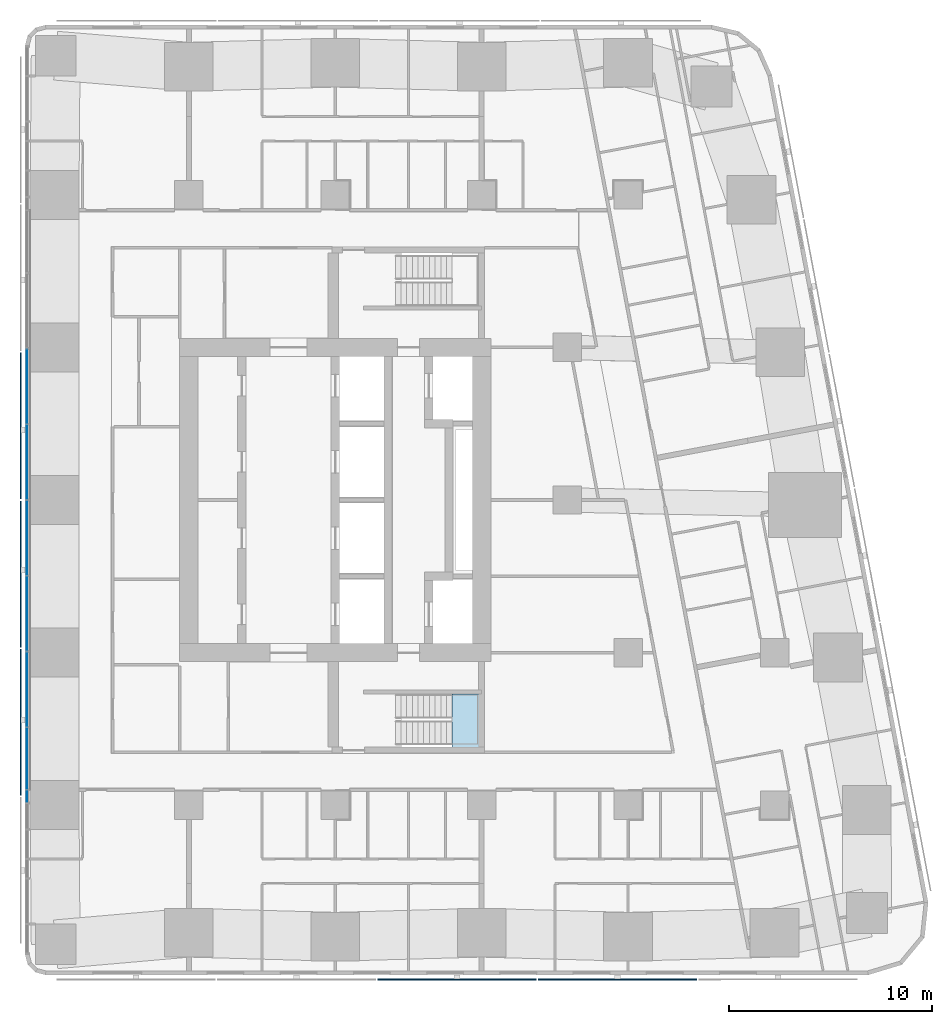
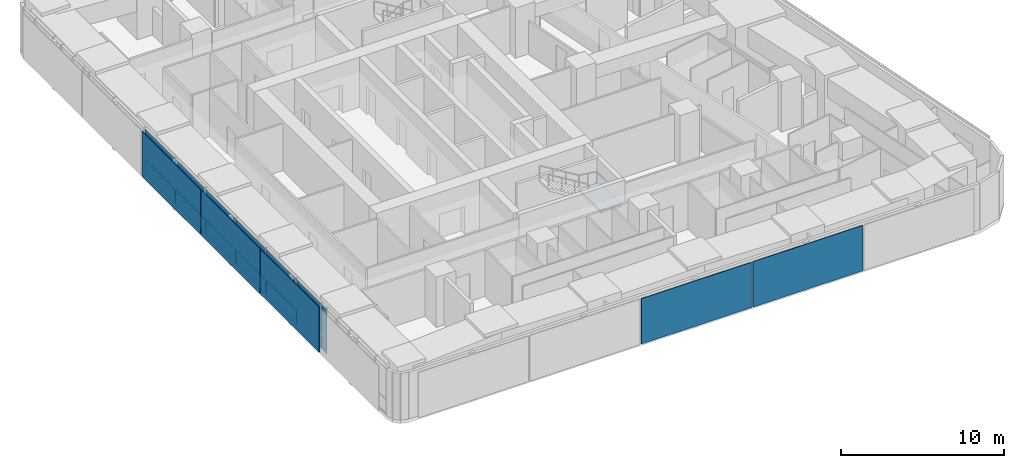
# One storey, part 7 of 19: 19 plates, 1 slab, 2 elements without a shape of their own.
"""IFC4 building model written with IfcOpenShell, lengths in metres."""

import ifcopenshell
import ifcopenshell.guid

model = None  # the IFC model being written
_history = None  # IfcOwnerHistory: only IFC2X3 demands one
_inside = {}  # id of a spatial element -> (the spatial element, [elements in it])
_under = {}  # id of a project, library or spatial element -> (it, [spatial elements below it])
_declared = {}  # id of a project -> (the project, [libraries it declares])
_typed = {}  # id of a type object -> (the type object, [elements of that type])
_made_of = {}  # id of a material, layer set ... -> (it, [elements and type objects made of it])


def new_model(schema):
    """Start an empty IFC model of exactly this schema.

    Asked for "IFC4X3", IfcOpenShell would pick the latest addendum, in which some entities
    have other attributes; the version numbers below select the first issue.
    IFC2X3 requires an IfcOwnerHistory on every rooted entity: one is made here for all.
    """
    global model, _history
    if schema == "IFC4X3":
        model = ifcopenshell.file(schema_version=(4, 3, 0, 0))
    else:
        model = ifcopenshell.file(schema=schema)
    _inside.clear()
    _under.clear()
    _declared.clear()
    _typed.clear()
    _made_of.clear()
    _history = None
    if model.schema == "IFC2X3":
        org = make("IfcOrganization", Name="unknown")
        user = make(
            "IfcPersonAndOrganization",
            ThePerson=make("IfcPerson", FamilyName="unknown"),
            TheOrganization=org,
        )
        app = make(
            "IfcApplication",
            ApplicationDeveloper=org,
            Version="unknown",
            ApplicationFullName="unknown",
            ApplicationIdentifier="unknown",
        )
        _history = make(
            "IfcOwnerHistory",
            OwningUser=user,
            OwningApplication=app,
            ChangeAction="ADDED",
            CreationDate=0,
        )
    return model


def make(cls, **values):
    """One entity of the class cls with the attributes given. An attribute that is None is left unset."""
    return model.create_entity(
        cls, **{name: value for name, value in values.items() if value is not None}
    )


def rooted(cls, **values):
    """An entity with a GlobalId (a new one), such as an element, a storey or a relation."""
    return make(cls, GlobalId=ifcopenshell.guid.new(), OwnerHistory=_history, **values)


def si_unit(unit_type, name, prefix=None):
    """IfcSIUnit, for example si_unit("LENGTHUNIT", "METRE", prefix="MILLI")."""
    return make("IfcSIUnit", UnitType=unit_type, Prefix=prefix, Name=name)


def assignment(units):
    """IfcUnitAssignment: the units of a project."""
    return None if units is None else make("IfcUnitAssignment", Units=units)


def point(xyz):
    """IfcCartesianPoint."""
    return None if xyz is None else make("IfcCartesianPoint", Coordinates=xyz)


def direction(xyz):
    """IfcDirection."""
    return None if xyz is None else make("IfcDirection", DirectionRatios=xyz)


def frame(location, z_axis=None, x_axis=None):
    """IfcAxis2Placement3D, a coordinate frame: its origin and axes. An axis left out is left unset."""
    return make(
        "IfcAxis2Placement3D",
        Location=point(location),
        Axis=direction(z_axis),
        RefDirection=direction(x_axis),
    )


def frame_2d(location, x_axis=None):
    """IfcAxis2Placement2D, a coordinate frame in the plane: its origin and x axis."""
    return make(
        "IfcAxis2Placement2D", Location=point(location), RefDirection=direction(x_axis)
    )


def origin():
    """The frame at (0, 0, 0) with its axes left unset."""
    return frame((0.0, 0.0, 0.0))


def origin_2d():
    """The frame at (0, 0) in the plane with its x axis left unset."""
    return frame_2d((0.0, 0.0))


def place(relative_to, where):
    """IfcLocalPlacement: puts the frame where relative to a parent placement (None: the world)."""
    return make(
        "IfcLocalPlacement", PlacementRelTo=relative_to, RelativePlacement=where
    )


def context(
    kind, dimensions, precision=None, world=None, true_north=None, identifier=None
):
    """IfcGeometricRepresentationContext, for example the 3D "Model" context."""
    return make(
        "IfcGeometricRepresentationContext",
        ContextIdentifier=identifier,
        ContextType=kind,
        CoordinateSpaceDimension=dimensions,
        Precision=precision,
        WorldCoordinateSystem=world,
        TrueNorth=true_north,
    )


def subcontext(parent, identifier, kind, view, scale=None):
    """IfcGeometricRepresentationSubContext, for example "Body" below "Model"."""
    return make(
        "IfcGeometricRepresentationSubContext",
        ContextIdentifier=identifier,
        ContextType=kind,
        ParentContext=parent,
        TargetScale=scale,
        TargetView=view,
    )


def project(units=None, contexts=None):
    """IfcProject with its units and contexts."""
    return rooted(
        "IfcProject",
        Name="project",
        RepresentationContexts=contexts,
        UnitsInContext=assignment(units),
    )


def spatial(cls, under=None, at=None, **own):
    """A site, building, storey or space (cls), placed at a placement, below another one or the project."""
    s = rooted(cls, ObjectPlacement=at, **own)
    if under is not None:
        _under.setdefault(under.id(), (under, []))[1].append(s)
    return s


def polyline(points):
    """IfcPolyline through the points."""
    return make("IfcPolyline", Points=[point(p) for p in points])


def profile(cls, at=None, kind="AREA", **sizes):
    """A parametric profile (cls). Its sizes go by their IFC names, for example OverallWidth=200.0."""
    return make(cls, ProfileType=kind, Position=at, **sizes)


def rectangle(**sizes):
    """IfcRectangleProfileDef."""
    return profile("IfcRectangleProfileDef", **sizes)


def outline(outer, holes=None, kind="AREA"):
    """IfcArbitraryClosedProfileDef: a profile drawn as a closed curve; with holes, ...WithVoids."""
    if holes is None:
        return make("IfcArbitraryClosedProfileDef", ProfileType=kind, OuterCurve=outer)
    return make(
        "IfcArbitraryProfileDefWithVoids",
        ProfileType=kind,
        OuterCurve=outer,
        InnerCurves=holes,
    )


def extrude(swept, where, along, depth):
    """IfcExtrudedAreaSolid: the profile swept, set in the frame where, extruded along a direction by depth."""
    return make(
        "IfcExtrudedAreaSolid",
        SweptArea=swept,
        Position=where,
        ExtrudedDirection=direction(along),
        Depth=depth,
    )


def shape(context_of_items, identifier, shape_type, items):
    """IfcShapeRepresentation: the items that make up one representation, for example the "Body"."""
    return make(
        "IfcShapeRepresentation",
        ContextOfItems=context_of_items,
        RepresentationIdentifier=identifier,
        RepresentationType=shape_type,
        Items=items,
    )


def material(Name=None, Category=None):
    """IfcMaterial."""
    return make("IfcMaterial", Name=Name, Category=Category)


def layer(
    of_material, thickness, ventilated=None, Name=None, Category=None, Priority=None
):
    """IfcMaterialLayer: one layer of a wall or slab, of a material (None: an air gap)."""
    return make(
        "IfcMaterialLayer",
        Material=of_material,
        LayerThickness=thickness,
        IsVentilated=ventilated,
        Name=Name,
        Category=Category,
        Priority=Priority,
    )


def layer_set(layers, Name=None):
    """IfcMaterialLayerSet."""
    return make("IfcMaterialLayerSet", MaterialLayers=layers, LayerSetName=Name)


def made_of(thing, what):
    """Note that an element or type object is made of a material, layer set ...; save() writes the relation."""
    if what is not None:
        _made_of.setdefault(what.id(), (what, []))[1].append(thing)
    return thing


def type_object(cls, material=None, **own):
    """A type object (cls), such as IfcWallType, which elements share."""
    return made_of(rooted(cls, **own), material)


def element(
    cls,
    number,
    at=None,
    inside=None,
    cuts=None,
    type_object=None,
    material=None,
    context=None,
    identifier="Body",
    shape_type=None,
    held_by="IfcProductDefinitionShape",
    body=None,
    shapes=None,
    **own,
):
    """One element of the class cls, such as IfcWall. Its Tag is "e" and its number.

    at: its placement. inside: the storey or other place that contains it. cuts: it is an
    opening in that element (IfcRelVoidsElement). A single representation is given by context,
    identifier, shape_type and body (its items); several are given by shapes. held_by: the class
    of the entity that holds the representations. save() writes the other relations.
    """
    e = rooted(cls, Tag="e%d" % number, ObjectPlacement=at, **own)
    if body is not None:
        shapes = [shape(context, identifier, shape_type, body)]
    if shapes is not None:
        e.Representation = make(held_by, Representations=shapes)
    if inside is not None:
        _inside.setdefault(inside.id(), (inside, []))[1].append(e)
    if cuts is not None:
        rooted(
            "IfcRelVoidsElement", RelatingBuildingElement=cuts, RelatedOpeningElement=e
        )
    if type_object is not None:
        _typed.setdefault(type_object.id(), (type_object, []))[1].append(e)
    return made_of(e, material)


def aggregate(whole, parts):
    """IfcRelAggregates: a whole, such as a stair, and the parts it consists of."""
    return rooted("IfcRelAggregates", RelatingObject=whole, RelatedObjects=parts)


def save(model, path):
    """Write the relations noted so far, then the file.

    IfcRelAggregates (storeys below a building ...), IfcRelContainedInSpatialStructure (elements
    in a storey), IfcRelDefinesByType, IfcRelAssociatesMaterial and IfcRelDeclares: one each for
    every whole, place, type object, material and project.
    """
    for whole, parts in _under.values():
        aggregate(whole, parts)
    for where, things in _inside.values():
        rooted(
            "IfcRelContainedInSpatialStructure",
            RelatedElements=things,
            RelatingStructure=where,
        )
    for kind, things in _typed.values():
        rooted("IfcRelDefinesByType", RelatedObjects=things, RelatingType=kind)
    for what, things in _made_of.values():
        rooted("IfcRelAssociatesMaterial", RelatedObjects=things, RelatingMaterial=what)
    for by, libraries in _declared.values():
        rooted("IfcRelDeclares", RelatingContext=by, RelatedDefinitions=libraries)
    model.write(path)


model = new_model("IFC4")

# Units and contexts
model_context = context("Model", 3, precision=1e-05, world=origin(), true_north=direction((0.0, 1.0)))
body_context = subcontext(model_context, "Body", "Model", "MODEL_VIEW")
ifc_project = project(units=[si_unit("LENGTHUNIT", "METRE"), si_unit("AREAUNIT", "SQUARE_METRE"), si_unit("VOLUMEUNIT", "CUBIC_METRE"), si_unit("PLANEANGLEUNIT", "RADIAN"), si_unit("MASSUNIT", "GRAM", prefix="KILO")], contexts=[model_context])

# Site, building, storey
site_placement = place(None, origin())
site = spatial("IfcSite", under=ifc_project, at=site_placement, CompositionType="ELEMENT")
building_placement = place(site_placement, origin())
building = spatial("IfcBuilding", under=site, at=building_placement, Name="Sheger Commons Tower", CompositionType="ELEMENT")
storey_placement = place(building_placement, frame((0.0, 0.0, 197.449951171875)))
storey = spatial("IfcBuildingStorey", under=building, at=storey_placement, Name="L50", CompositionType="ELEMENT", Elevation=197.449951171875)

# Curtain wall, plates
ifc_material_1 = material(Name="Black aluminium curtain wall, dark tinted glazing", Category="aluminium")
curtain_wall_type = type_object("IfcCurtainWallType", Name="CURTAIN WALL CW4 GALLERY", PredefinedType="USERDEFINED", material=ifc_material_1)
curtain_wall_placement = place(storey_placement, origin())
curtain_wall = element("IfcCurtainWall", 1, at=curtain_wall_placement, inside=storey, type_object=curtain_wall_type, Name="Curtain Wall Cw4 Gallery W1 L50", ObjectType="UNITISED CURTAIN WALL", PredefinedType="USERDEFINED")
ifc_material_2 = material(Name="Dark tinted double glazing", Category="glass")
ifc_layer_1 = layer(ifc_material_2, 0.031982421875)
ifc_layer_set_1 = layer_set([ifc_layer_1], Name="GLAZED PANEL 32")
plate_type_1 = type_object("IfcPlateType", Name="GLAZED PANEL 32", PredefinedType="CURTAIN_PANEL", material=ifc_layer_set_1)
plate_1_placement = place(storey_placement, frame((6.449951171875, 28.08447265625, 0.065185546875), z_axis=(0.0, 0.0, 1.0), x_axis=(0.0, -1.0, 0.0)))
plate_1 = element("IfcPlate", 2, at=plate_1_placement, type_object=plate_type_1, Name="CW4 panel 9.1", PredefinedType="CURTAIN_PANEL", context=body_context, shape_type="SweptSolid", body=[
    extrude(rectangle(XDim=3.657958984375, YDim=0.031982421875, at=origin_2d()), origin(), (0.0, 0.0, 1.0), 1.00244140625),
])
plate_2_placement = place(storey_placement, frame((6.449951171875, 28.08447265625, 1.13232421875), z_axis=(0.0, 0.0, 1.0), x_axis=(0.0, -1.0, 0.0)))
plate_2 = element("IfcPlate", 3, at=plate_2_placement, type_object=plate_type_1, Name="CW4 panel 9.2", PredefinedType="CURTAIN_PANEL", context=body_context, shape_type="SweptSolid", body=[
    extrude(rectangle(XDim=3.657958984375, YDim=0.031982421875, at=origin_2d()), origin(), (0.0, 0.0, 1.0), 2.302490234375),
])
plate_3_placement = place(storey_placement, frame((6.449951171875, 24.361572265625, 0.065185546875), z_axis=(0.0, 0.0, 1.0), x_axis=(0.0, -1.0, 0.0)))
plate_3 = element("IfcPlate", 4, at=plate_3_placement, type_object=plate_type_1, Name="CW4 panel 10.1", PredefinedType="CURTAIN_PANEL", context=body_context, shape_type="SweptSolid", body=[
    extrude(rectangle(XDim=3.657958984375, YDim=0.031982421875, at=origin_2d()), origin(), (0.0, 0.0, 1.0), 1.00244140625),
])
plate_4_placement = place(storey_placement, frame((6.449951171875, 24.361572265625, 1.13232421875), z_axis=(0.0, 0.0, 1.0), x_axis=(0.0, -1.0, 0.0)))
plate_4 = element("IfcPlate", 5, at=plate_4_placement, type_object=plate_type_1, Name="CW4 panel 10.2", PredefinedType="CURTAIN_PANEL", context=body_context, shape_type="SweptSolid", body=[
    extrude(rectangle(XDim=3.657958984375, YDim=0.031982421875, at=origin_2d()), origin(), (0.0, 0.0, 1.0), 2.302490234375),
])
plate_5_placement = place(storey_placement, frame((6.449951171875, 20.638427734375, 0.065185546875), z_axis=(0.0, 0.0, 1.0), x_axis=(0.0, -1.0, 0.0)))
plate_5 = element("IfcPlate", 6, at=plate_5_placement, type_object=plate_type_1, Name="CW4 panel 11.1", PredefinedType="CURTAIN_PANEL", context=body_context, shape_type="SweptSolid", body=[
    extrude(rectangle(XDim=3.657958984375, YDim=0.031982421875, at=origin_2d()), origin(), (0.0, 0.0, 1.0), 1.00244140625),
])
plate_6_placement = place(storey_placement, frame((6.449951171875, 20.638427734375, 1.13232421875), z_axis=(0.0, 0.0, 1.0), x_axis=(0.0, -1.0, 0.0)))
plate_6 = element("IfcPlate", 7, at=plate_6_placement, type_object=plate_type_1, Name="CW4 panel 11.2", PredefinedType="CURTAIN_PANEL", context=body_context, shape_type="SweptSolid", body=[
    extrude(rectangle(XDim=3.657958984375, YDim=0.031982421875, at=origin_2d()), origin(), (0.0, 0.0, 1.0), 2.302490234375),
])
plate_7_placement = place(storey_placement, frame((6.449951171875, 16.91552734375, 0.065185546875), z_axis=(0.0, 0.0, 1.0), x_axis=(0.0, -1.0, 0.0)))
plate_7 = element("IfcPlate", 8, at=plate_7_placement, type_object=plate_type_1, Name="CW4 panel 12.1", PredefinedType="CURTAIN_PANEL", context=body_context, shape_type="SweptSolid", body=[
    extrude(rectangle(XDim=3.657958984375, YDim=0.031982421875, at=origin_2d()), origin(), (0.0, 0.0, 1.0), 1.00244140625),
])
plate_8_placement = place(storey_placement, frame((6.449951171875, 16.91552734375, 1.13232421875), z_axis=(0.0, 0.0, 1.0), x_axis=(0.0, -1.0, 0.0)))
plate_8 = element("IfcPlate", 9, at=plate_8_placement, type_object=plate_type_1, Name="CW4 panel 12.2", PredefinedType="CURTAIN_PANEL", context=body_context, shape_type="SweptSolid", body=[
    extrude(rectangle(XDim=3.657958984375, YDim=0.031982421875, at=origin_2d()), origin(), (0.0, 0.0, 1.0), 2.302490234375),
])
plate_9_placement = place(storey_placement, frame((6.449951171875, 13.1923828125, 0.065185546875), z_axis=(0.0, 0.0, 1.0), x_axis=(0.0, -1.0, 0.0)))
plate_9 = element("IfcPlate", 10, at=plate_9_placement, type_object=plate_type_1, Name="CW4 panel 13.1", PredefinedType="CURTAIN_PANEL", context=body_context, shape_type="SweptSolid", body=[
    extrude(rectangle(XDim=3.657958984375, YDim=0.031982421875, at=origin_2d()), origin(), (0.0, 0.0, 1.0), 1.00244140625),
])
plate_10_placement = place(storey_placement, frame((6.449951171875, 13.1923828125, 1.13232421875), z_axis=(0.0, 0.0, 1.0), x_axis=(0.0, -1.0, 0.0)))
plate_10 = element("IfcPlate", 11, at=plate_10_placement, type_object=plate_type_1, Name="CW4 panel 13.2", PredefinedType="CURTAIN_PANEL", context=body_context, shape_type="SweptSolid", body=[
    extrude(rectangle(XDim=3.657958984375, YDim=0.031982421875, at=origin_2d()), origin(), (0.0, 0.0, 1.0), 2.302490234375),
])
plate_11_placement = place(storey_placement, frame((6.449951171875, 9.79052734375, 0.065185546875), z_axis=(0.0, 0.0, 1.0), x_axis=(0.0, -1.0, 0.0)))
plate_11 = element("IfcPlate", 12, at=plate_11_placement, type_object=plate_type_1, Name="CW4 panel 14.1", PredefinedType="CURTAIN_PANEL", context=body_context, shape_type="SweptSolid", body=[
    extrude(rectangle(XDim=3.01611328125, YDim=0.031982421875, at=origin_2d()), origin(), (0.0, 0.0, 1.0), 1.00244140625),
])
plate_12_placement = place(storey_placement, frame((6.449951171875, 9.79052734375, 1.13232421875), z_axis=(0.0, 0.0, 1.0), x_axis=(0.0, -1.0, 0.0)))
plate_12 = element("IfcPlate", 13, at=plate_12_placement, type_object=plate_type_1, Name="CW4 panel 14.2", PredefinedType="CURTAIN_PANEL", context=body_context, shape_type="SweptSolid", body=[
    extrude(rectangle(XDim=3.01611328125, YDim=0.031982421875, at=origin_2d()), origin(), (0.0, 0.0, 1.0), 2.302490234375),
])
plate_13_placement = place(storey_placement, frame((6.449951171875, 7.929443359375, 0.065185546875), z_axis=(0.0, 0.0, 1.0), x_axis=(0.0, -1.0, 0.0)))
plate_13 = element("IfcPlate", 14, at=plate_13_placement, type_object=plate_type_1, Name="CW4 panel 15.1", PredefinedType="CURTAIN_PANEL", context=body_context, shape_type="SweptSolid", body=[
    extrude(rectangle(XDim=0.575927734375, YDim=0.031982421875, at=origin_2d()), origin(), (0.0, 0.0, 1.0), 1.00244140625),
])
plate_14_placement = place(storey_placement, frame((6.449951171875, 7.929443359375, 1.13232421875), z_axis=(0.0, 0.0, 1.0), x_axis=(0.0, -1.0, 0.0)))
plate_14 = element("IfcPlate", 15, at=plate_14_placement, type_object=plate_type_1, Name="CW4 panel 15.2", PredefinedType="CURTAIN_PANEL", context=body_context, shape_type="SweptSolid", body=[
    extrude(rectangle(XDim=0.575927734375, YDim=0.031982421875, at=origin_2d()), origin(), (0.0, 0.0, 1.0), 2.302490234375),
])
aggregate(curtain_wall, [plate_1, plate_2, plate_3, plate_4, plate_5, plate_6, plate_7, plate_8, plate_9, plate_10, plate_11, plate_12, plate_13, plate_14])

# Plates
ifc_material_3 = material(Name="Perforated black anodised aluminium screen", Category="aluminium")
ifc_layer_2 = layer(ifc_material_3, 0.050048828125)
ifc_layer_set_2 = layer_set([ifc_layer_2], Name="SOLAR SCREEN SCREEN-1")
plate_type_2 = type_object("IfcPlateType", Name="SOLAR SCREEN SCREEN-1", PredefinedType="USERDEFINED", material=ifc_layer_set_2)
for number, where, z_axis, x_axis, name in (
    (16, (27.577880859375, -1.074951171875, 0.050048828125), (0.0, 0.0, 1.0), (1.0, 0.0, 0.0), "Perforated solar screen panel"),
    (17, (35.468994140625, -1.074951171875, 0.050048828125), (0.0, 0.0, 1.0), (1.0, 0.0, 0.0), "Perforated solar screen panel"),
):
    element("IfcPlate", number, at=place(storey_placement, frame(where, z_axis=z_axis, x_axis=x_axis)), inside=storey, type_object=plate_type_2, Name=name, ObjectType="SCREEN", PredefinedType="USERDEFINED", context=body_context, shape_type="SweptSolid", body=[
        extrude(rectangle(XDim=7.791015625, YDim=0.050048828125, at=origin_2d()), origin(), (0.0, 0.0, 1.0), 3.39990234375),
    ])
for number, where, z_axis, x_axis, name in (
    (18, (6.125, 26.14208984375, 0.050048828125), (0.0, 0.0, 1.0), (0.0, -1.0, 0.0), "Perforated solar screen panel"),
    (19, (6.125, 18.85791015625, 0.050048828125), (0.0, 0.0, 1.0), (0.0, -1.0, 0.0), "Perforated solar screen panel"),
    (20, (6.125, 11.574951171875, 0.050048828125), (0.0, 0.0, 1.0), (0.0, -1.0, 0.0), "Perforated solar screen panel"),
):
    element("IfcPlate", number, at=place(storey_placement, frame(where, z_axis=z_axis, x_axis=x_axis)), inside=storey, type_object=plate_type_2, Name=name, ObjectType="SCREEN", PredefinedType="USERDEFINED", context=body_context, shape_type="SweptSolid", body=[
        extrude(rectangle(XDim=7.18310546875, YDim=0.050048828125, at=origin_2d()), origin(), (0.0, 0.0, 1.0), 3.39990234375),
    ])

# Stair, slab
ifc_material_4 = material(Name="Concrete C35/45", Category="concrete")
stair_type = type_object("IfcStairType", Name="HALF-TURN STAIR 1200 RISE 3750", PredefinedType="HALF_TURN_STAIR", material=ifc_material_4)
stair_placement = place(storey_placement, origin())
stair = element("IfcStair", 21, at=stair_placement, inside=storey, type_object=stair_type, Name="Stair S1 L50", PredefinedType="HALF_TURN_STAIR")
ifc_material_5 = material(Name="Concrete C35/45", Category="concrete")
ifc_layer_3 = layer(ifc_material_5, 0.199951171875)
ifc_layer_set_3 = layer_set([ifc_layer_3], Name="STAIR LANDING 200")
slab_type = type_object("IfcSlabType", Name="STAIR LANDING 200", PredefinedType="LANDING", material=ifc_layer_set_3)
slab_placement = place(storey_placement, frame((0.0, 0.0, 1.675048828125)))
slab = element("IfcSlab", 22, at=slab_placement, type_object=slab_type, Name="S1 landing 1", PredefinedType="LANDING", context=body_context, shape_type="SweptSolid", body=[
    extrude(outline(polyline([(27.35009765625, 10.199951171875), (28.800048828125, 10.199951171875), (28.800048828125, 12.949951171875), (27.35009765625, 12.949951171875), (27.35009765625, 10.199951171875)])), origin(), (0.0, 0.0, 1.0), 0.199951171875),
])
aggregate(stair, [slab])

save(model, "model.ifc")
